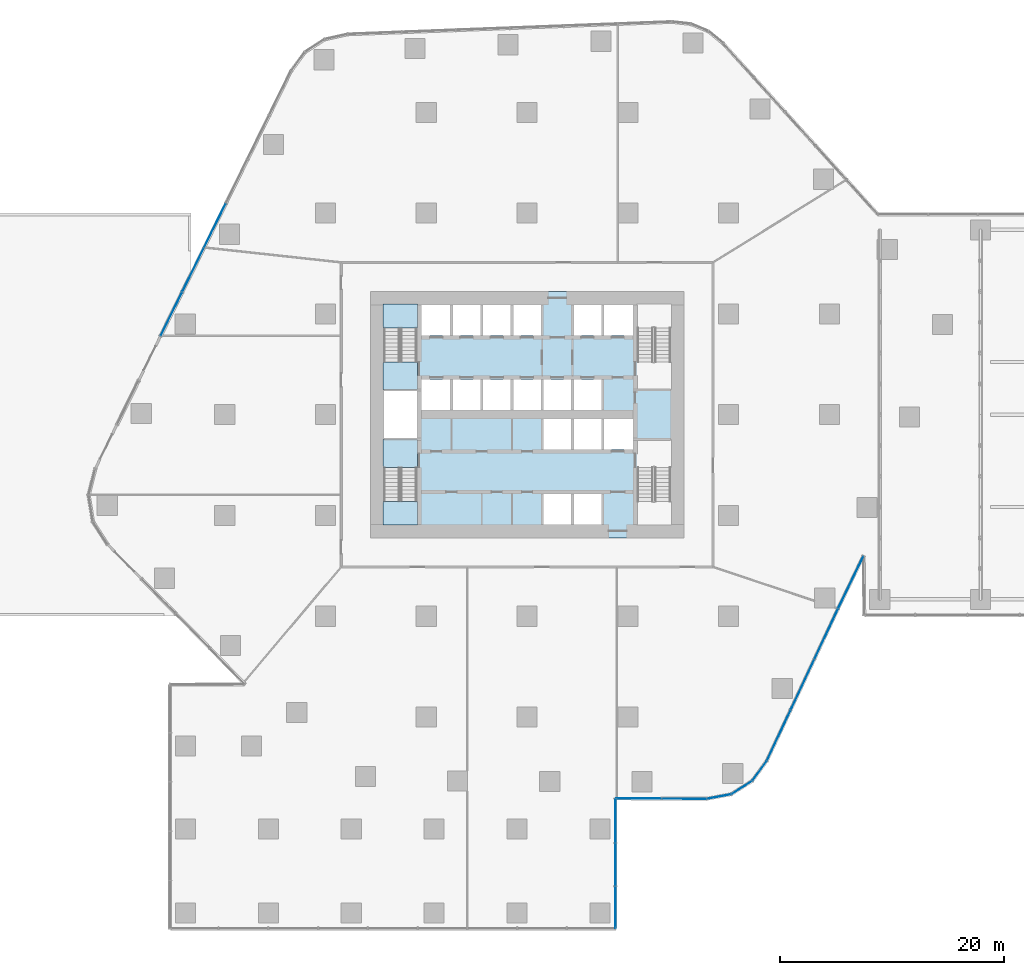
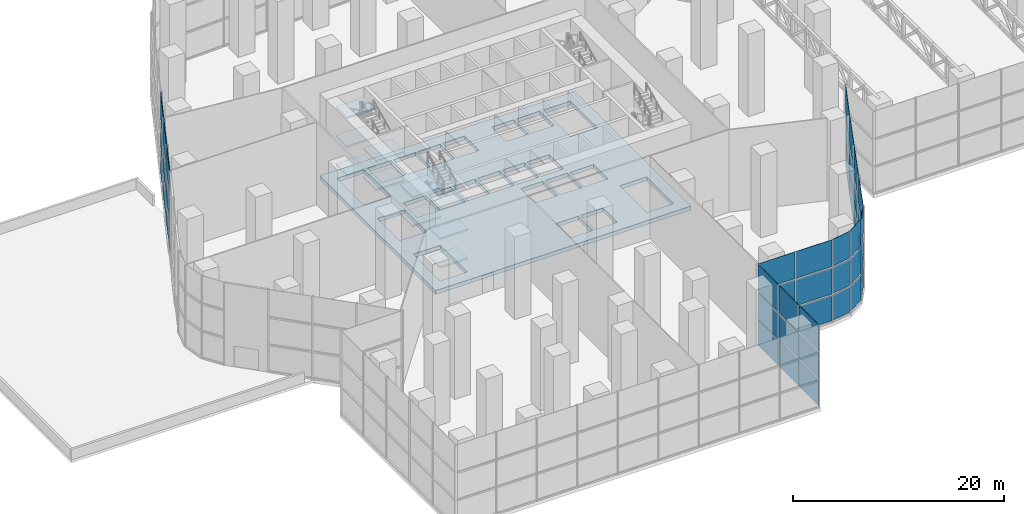
# One storey, part 12 of 21: 45 plates, 11 slabs, 7 elements without a shape of their own.
"""IFC4 building model written with IfcOpenShell, lengths in metres."""

from ifc_helpers import new_model, si_unit, direction, frame, origin, origin_2d, place, context, subcontext, project, spatial, polyline, rectangle, outline, extrude, material, layer, layer_set, type_object, element, aggregate, save


model = new_model("IFC4")

# Units and contexts
model_context = context("Model", 3, precision=1e-05, world=origin(), true_north=direction((0.0, 1.0)))
body_context = subcontext(model_context, "Body", "Model", "MODEL_VIEW")
ifc_project = project(units=[si_unit("LENGTHUNIT", "METRE"), si_unit("AREAUNIT", "SQUARE_METRE"), si_unit("VOLUMEUNIT", "CUBIC_METRE"), si_unit("PLANEANGLEUNIT", "RADIAN"), si_unit("MASSUNIT", "GRAM", prefix="KILO")], contexts=[model_context])

# Site, building, storey
site_placement = place(None, origin())
site = spatial("IfcSite", under=ifc_project, at=site_placement, CompositionType="ELEMENT")
building_placement = place(site_placement, origin())
building = spatial("IfcBuilding", under=site, at=building_placement, Name="Dongbaek Canopy Tower", CompositionType="ELEMENT")
storey_placement = place(building_placement, frame((0.0, 0.0, 9.0)))
storey = spatial("IfcBuildingStorey", under=building, at=storey_placement, Name="L01", CompositionType="ELEMENT", Elevation=9.0)

# Curtain wall, plates
ifc_material_1 = material(Name="Aluminium 6063-T6 pale anodised", Category="aluminium")
ifc_layer_1 = layer(ifc_material_1, 0.300048828125)
ifc_layer_set_1 = layer_set([ifc_layer_1], Name="CW-2 podium hall curtain wall")
curtain_wall_type = type_object("IfcCurtainWallType", Name="CW-2 podium hall curtain wall", PredefinedType="NOTDEFINED", material=ifc_layer_set_1)
curtain_wall_1_placement = place(storey_placement, origin())
curtain_wall_1 = element("IfcCurtainWall", 1, at=curtain_wall_1_placement, inside=storey, type_object=curtain_wall_type, Name="CW-2 curtain wall K0.1", PredefinedType="NOTDEFINED")
ifc_material_2 = material(Name="Clear laminated glass", Category="glass")
ifc_layer_2 = layer(ifc_material_2, 0.035888671875)
ifc_layer_set_2 = layer_set([ifc_layer_2], Name="CW-2 glazed panel 36")
plate_type_1 = type_object("IfcPlateType", Name="CW-2 glazed panel 36", PredefinedType="CURTAIN_PANEL", material=ifc_layer_set_2)
plate_1_placement = place(storey_placement, frame((17.1337890625, -34.110595703125, 0.159912109375), z_axis=(0.0, 0.0, 1.0), x_axis=(0.98292174659, 0.184024020391, 0.0)))
plate_1 = element("IfcPlate", 2, at=plate_1_placement, type_object=plate_type_1, Name="CW-2 panel K0.1.1.1", PredefinedType="CURTAIN_PANEL", context=body_context, shape_type="SweptSolid", body=[
    extrude(rectangle(XDim=2.128173828125, YDim=0.035888671875, at=origin_2d()), origin(), (0.0, 0.0, 1.0), 2.943359375),
])
plate_2_placement = place(storey_placement, frame((17.1337890625, -34.110595703125, 3.26318359375), z_axis=(0.0, 0.0, 1.0), x_axis=(0.98292174659, 0.184024020391, 0.0)))
plate_2 = element("IfcPlate", 3, at=plate_2_placement, type_object=plate_type_1, Name="CW-2 panel K0.1.1.2", PredefinedType="CURTAIN_PANEL", context=body_context, shape_type="SweptSolid", body=[
    extrude(rectangle(XDim=2.128173828125, YDim=0.035888671875, at=origin_2d()), origin(), (0.0, 0.0, 1.0), 3.0234375),
])
plate_3_placement = place(storey_placement, frame((17.1337890625, -34.110595703125, 6.44677734375), z_axis=(0.0, 0.0, 1.0), x_axis=(0.98292174659, 0.184024020391, 0.0)))
plate_3 = element("IfcPlate", 4, at=plate_3_placement, type_object=plate_type_1, Name="CW-2 panel K0.1.1.3", PredefinedType="CURTAIN_PANEL", context=body_context, shape_type="SweptSolid", body=[
    extrude(rectangle(XDim=2.128173828125, YDim=0.035888671875, at=origin_2d()), origin(), (0.0, 0.0, 1.0), 3.103271484375),
])
plate_4_placement = place(storey_placement, frame((19.169921875, -33.31103515625, 0.159912109375), z_axis=(0.0, 0.0, 1.0), x_axis=(0.845033442045, 0.534713457681, 0.0)))
plate_4 = element("IfcPlate", 5, at=plate_4_placement, type_object=plate_type_1, Name="CW-2 panel K0.1.2.1", PredefinedType="CURTAIN_PANEL", context=body_context, shape_type="SweptSolid", body=[
    extrude(rectangle(XDim=2.11865234375, YDim=0.035888671875, at=origin_2d()), origin(), (0.0, 0.0, 1.0), 2.943359375),
])
plate_5_placement = place(storey_placement, frame((19.169921875, -33.31103515625, 3.26318359375), z_axis=(0.0, 0.0, 1.0), x_axis=(0.845033442045, 0.534713457681, 0.0)))
plate_5 = element("IfcPlate", 6, at=plate_5_placement, type_object=plate_type_1, Name="CW-2 panel K0.1.2.2", PredefinedType="CURTAIN_PANEL", context=body_context, shape_type="SweptSolid", body=[
    extrude(rectangle(XDim=2.11865234375, YDim=0.035888671875, at=origin_2d()), origin(), (0.0, 0.0, 1.0), 3.0234375),
])
plate_6_placement = place(storey_placement, frame((19.169921875, -33.31103515625, 6.44677734375), z_axis=(0.0, 0.0, 1.0), x_axis=(0.845033442045, 0.534713457681, 0.0)))
plate_6 = element("IfcPlate", 7, at=plate_6_placement, type_object=plate_type_1, Name="CW-2 panel K0.1.2.3", PredefinedType="CURTAIN_PANEL", context=body_context, shape_type="SweptSolid", body=[
    extrude(rectangle(XDim=2.11865234375, YDim=0.035888671875, at=origin_2d()), origin(), (0.0, 0.0, 1.0), 3.103271484375),
])
plate_7_placement = place(storey_placement, frame((20.764404296875, -31.813232421875, 0.159912109375), z_axis=(0.0, 0.0, 1.0), x_axis=(0.587153663418, 0.809475494092, 0.0)))
plate_7 = element("IfcPlate", 8, at=plate_7_placement, type_object=plate_type_1, Name="CW-2 panel K0.1.3.1", PredefinedType="CURTAIN_PANEL", context=body_context, shape_type="SweptSolid", body=[
    extrude(rectangle(XDim=2.128173828125, YDim=0.035888671875, at=origin_2d()), origin(), (0.0, 0.0, 1.0), 2.943359375),
])
plate_8_placement = place(storey_placement, frame((20.764404296875, -31.813232421875, 3.26318359375), z_axis=(0.0, 0.0, 1.0), x_axis=(0.587153663418, 0.809475494092, 0.0)))
plate_8 = element("IfcPlate", 9, at=plate_8_placement, type_object=plate_type_1, Name="CW-2 panel K0.1.3.2", PredefinedType="CURTAIN_PANEL", context=body_context, shape_type="SweptSolid", body=[
    extrude(rectangle(XDim=2.128173828125, YDim=0.035888671875, at=origin_2d()), origin(), (0.0, 0.0, 1.0), 3.0234375),
])
plate_9_placement = place(storey_placement, frame((20.764404296875, -31.813232421875, 6.44677734375), z_axis=(0.0, 0.0, 1.0), x_axis=(0.587153663418, 0.809475494092, 0.0)))
plate_9 = element("IfcPlate", 10, at=plate_9_placement, type_object=plate_type_1, Name="CW-2 panel K0.1.3.3", PredefinedType="CURTAIN_PANEL", context=body_context, shape_type="SweptSolid", body=[
    extrude(rectangle(XDim=2.128173828125, YDim=0.035888671875, at=origin_2d()), origin(), (0.0, 0.0, 1.0), 3.103271484375),
])
aggregate(curtain_wall_1, [plate_1, plate_2, plate_3, plate_4, plate_5, plate_6, plate_7, plate_8, plate_9])

curtain_wall_2_placement = place(storey_placement, origin())
curtain_wall_2 = element("IfcCurtainWall", 11, at=curtain_wall_2_placement, inside=storey, type_object=curtain_wall_type, Name="CW-2 curtain wall F0.1", PredefinedType="NOTDEFINED")
plate_10_placement = place(storey_placement, frame((22.4794921875, -28.64697265625, 0.159912109375), z_axis=(0.0, 0.0, 1.0), x_axis=(0.42412285893, 0.905604660176, 0.0)))
plate_10 = element("IfcPlate", 12, at=plate_10_placement, type_object=plate_type_1, Name="CW-2 panel F0.1.1.1", PredefinedType="CURTAIN_PANEL", context=body_context, shape_type="SweptSolid", body=[
    extrude(rectangle(XDim=4.89306640625, YDim=0.035888671875, at=origin_2d()), origin(), (0.0, 0.0, 1.0), 2.943359375),
])
plate_11_placement = place(storey_placement, frame((22.4794921875, -28.64697265625, 3.26318359375), z_axis=(0.0, 0.0, 1.0), x_axis=(0.42412285893, 0.905604660176, 0.0)))
plate_11 = element("IfcPlate", 13, at=plate_11_placement, type_object=plate_type_1, Name="CW-2 panel F0.1.1.2", PredefinedType="CURTAIN_PANEL", context=body_context, shape_type="SweptSolid", body=[
    extrude(rectangle(XDim=4.89306640625, YDim=0.035888671875, at=origin_2d()), origin(), (0.0, 0.0, 1.0), 3.0234375),
])
plate_12_placement = place(storey_placement, frame((22.4794921875, -28.64697265625, 6.44677734375), z_axis=(0.0, 0.0, 1.0), x_axis=(0.42412285893, 0.905604660176, 0.0)))
plate_12 = element("IfcPlate", 14, at=plate_12_placement, type_object=plate_type_1, Name="CW-2 panel F0.1.1.3", PredefinedType="CURTAIN_PANEL", context=body_context, shape_type="SweptSolid", body=[
    extrude(rectangle(XDim=4.89306640625, YDim=0.035888671875, at=origin_2d()), origin(), (0.0, 0.0, 1.0), 3.103271484375),
])
plate_13_placement = place(storey_placement, frame((24.600830078125, -24.117431640625, 0.159912109375), z_axis=(0.0, 0.0, 1.0), x_axis=(0.42412285893, 0.905604660176, 0.0)))
plate_13 = element("IfcPlate", 15, at=plate_13_placement, type_object=plate_type_1, Name="CW-2 panel F0.1.2.1", PredefinedType="CURTAIN_PANEL", context=body_context, shape_type="SweptSolid", body=[
    extrude(rectangle(XDim=4.902587890625, YDim=0.035888671875, at=origin_2d()), origin(), (0.0, 0.0, 1.0), 2.943359375),
])
plate_14_placement = place(storey_placement, frame((24.600830078125, -24.117431640625, 3.26318359375), z_axis=(0.0, 0.0, 1.0), x_axis=(0.42412285893, 0.905604660176, 0.0)))
plate_14 = element("IfcPlate", 16, at=plate_14_placement, type_object=plate_type_1, Name="CW-2 panel F0.1.2.2", PredefinedType="CURTAIN_PANEL", context=body_context, shape_type="SweptSolid", body=[
    extrude(rectangle(XDim=4.902587890625, YDim=0.035888671875, at=origin_2d()), origin(), (0.0, 0.0, 1.0), 3.0234375),
])
plate_15_placement = place(storey_placement, frame((24.600830078125, -24.117431640625, 6.44677734375), z_axis=(0.0, 0.0, 1.0), x_axis=(0.42412285893, 0.905604660176, 0.0)))
plate_15 = element("IfcPlate", 17, at=plate_15_placement, type_object=plate_type_1, Name="CW-2 panel F0.1.2.3", PredefinedType="CURTAIN_PANEL", context=body_context, shape_type="SweptSolid", body=[
    extrude(rectangle(XDim=4.902587890625, YDim=0.035888671875, at=origin_2d()), origin(), (0.0, 0.0, 1.0), 3.103271484375),
])
plate_16_placement = place(storey_placement, frame((26.724365234375, -19.583251953125, 0.159912109375), z_axis=(0.0, 0.0, 1.0), x_axis=(0.42412285893, 0.905604660176, 0.0)))
plate_16 = element("IfcPlate", 18, at=plate_16_placement, type_object=plate_type_1, Name="CW-2 panel F0.1.3.1", PredefinedType="CURTAIN_PANEL", context=body_context, shape_type="SweptSolid", body=[
    extrude(rectangle(XDim=4.902587890625, YDim=0.035888671875, at=origin_2d()), origin(), (0.0, 0.0, 1.0), 2.943359375),
])
plate_17_placement = place(storey_placement, frame((26.724365234375, -19.583251953125, 3.26318359375), z_axis=(0.0, 0.0, 1.0), x_axis=(0.42412285893, 0.905604660176, 0.0)))
plate_17 = element("IfcPlate", 19, at=plate_17_placement, type_object=plate_type_1, Name="CW-2 panel F0.1.3.2", PredefinedType="CURTAIN_PANEL", context=body_context, shape_type="SweptSolid", body=[
    extrude(rectangle(XDim=4.902587890625, YDim=0.035888671875, at=origin_2d()), origin(), (0.0, 0.0, 1.0), 3.0234375),
])
plate_18_placement = place(storey_placement, frame((26.724365234375, -19.583251953125, 6.44677734375), z_axis=(0.0, 0.0, 1.0), x_axis=(0.42412285893, 0.905604660176, 0.0)))
plate_18 = element("IfcPlate", 20, at=plate_18_placement, type_object=plate_type_1, Name="CW-2 panel F0.1.3.3", PredefinedType="CURTAIN_PANEL", context=body_context, shape_type="SweptSolid", body=[
    extrude(rectangle(XDim=4.902587890625, YDim=0.035888671875, at=origin_2d()), origin(), (0.0, 0.0, 1.0), 3.103271484375),
])
plate_19_placement = place(storey_placement, frame((28.914794921875, -14.97265625, 0.159912109375), z_axis=(0.0, 0.0, 1.0), x_axis=(0.433942044682, 0.900940787098, 0.0)))
plate_19 = element("IfcPlate", 21, at=plate_19_placement, type_object=plate_type_1, Name="CW-2 panel F0.1.4.1", PredefinedType="CURTAIN_PANEL", context=body_context, shape_type="SweptSolid", body=[
    extrude(rectangle(XDim=5.09814453125, YDim=0.035888671875, at=origin_2d()), origin(), (0.0, 0.0, 1.0), 2.943359375),
])
plate_20_placement = place(storey_placement, frame((28.914794921875, -14.97265625, 3.26318359375), z_axis=(0.0, 0.0, 1.0), x_axis=(0.433942044682, 0.900940787098, 0.0)))
plate_20 = element("IfcPlate", 22, at=plate_20_placement, type_object=plate_type_1, Name="CW-2 panel F0.1.4.2", PredefinedType="CURTAIN_PANEL", context=body_context, shape_type="SweptSolid", body=[
    extrude(rectangle(XDim=5.09814453125, YDim=0.035888671875, at=origin_2d()), origin(), (0.0, 0.0, 1.0), 3.0234375),
])

curtain_wall_3_placement = place(storey_placement, origin())
curtain_wall_3 = element("IfcCurtainWall", 23, at=curtain_wall_3_placement, inside=storey, type_object=curtain_wall_type, Name="CW-2 curtain wall F7.1", PredefinedType="NOTDEFINED")
plate_21_placement = place(storey_placement, frame((-27.88525390625, 16.8759765625, 0.159912109375), z_axis=(0.0, 0.0, 1.0), x_axis=(-0.441341613378, -0.897339166815, 0.0)))
plate_21 = element("IfcPlate", 24, at=plate_21_placement, type_object=plate_type_1, Name="CW-2 panel F7.1.4.1", PredefinedType="CURTAIN_PANEL", context=body_context, shape_type="SweptSolid", body=[
    extrude(rectangle(XDim=4.29541015625, YDim=0.035888671875, at=origin_2d()), origin(), (0.0, 0.0, 1.0), 2.943359375),
])
plate_22_placement = place(storey_placement, frame((-27.88525390625, 16.8759765625, 3.26318359375), z_axis=(0.0, 0.0, 1.0), x_axis=(-0.441341613378, -0.897339166815, 0.0)))
plate_22 = element("IfcPlate", 25, at=plate_22_placement, type_object=plate_type_1, Name="CW-2 panel F7.1.4.2", PredefinedType="CURTAIN_PANEL", context=body_context, shape_type="SweptSolid", body=[
    extrude(rectangle(XDim=4.29541015625, YDim=0.035888671875, at=origin_2d()), origin(), (0.0, 0.0, 1.0), 3.0234375),
])
plate_23_placement = place(storey_placement, frame((-27.88525390625, 16.8759765625, 6.44677734375), z_axis=(0.0, 0.0, 1.0), x_axis=(-0.441341613378, -0.897339166815, 0.0)))
plate_23 = element("IfcPlate", 26, at=plate_23_placement, type_object=plate_type_1, Name="CW-2 panel F7.1.4.3", PredefinedType="CURTAIN_PANEL", context=body_context, shape_type="SweptSolid", body=[
    extrude(rectangle(XDim=4.29541015625, YDim=0.035888671875, at=origin_2d()), origin(), (0.0, 0.0, 1.0), 3.103271484375),
])
plate_24_placement = place(storey_placement, frame((-29.826904296875, 12.92822265625, 0.159912109375), z_axis=(0.0, 0.0, 1.0), x_axis=(-0.441341613378, -0.897339166815, 0.0)))
plate_24 = element("IfcPlate", 27, at=plate_24_placement, type_object=plate_type_1, Name="CW-2 panel F7.1.5.1", PredefinedType="CURTAIN_PANEL", context=body_context, shape_type="SweptSolid", body=[
    extrude(rectangle(XDim=4.29541015625, YDim=0.035888671875, at=origin_2d()), origin(), (0.0, 0.0, 1.0), 2.943359375),
])
plate_25_placement = place(storey_placement, frame((-29.826904296875, 12.92822265625, 3.26318359375), z_axis=(0.0, 0.0, 1.0), x_axis=(-0.441341613378, -0.897339166815, 0.0)))
plate_25 = element("IfcPlate", 28, at=plate_25_placement, type_object=plate_type_1, Name="CW-2 panel F7.1.5.2", PredefinedType="CURTAIN_PANEL", context=body_context, shape_type="SweptSolid", body=[
    extrude(rectangle(XDim=4.29541015625, YDim=0.035888671875, at=origin_2d()), origin(), (0.0, 0.0, 1.0), 3.0234375),
])
plate_26_placement = place(storey_placement, frame((-29.826904296875, 12.92822265625, 6.44677734375), z_axis=(0.0, 0.0, 1.0), x_axis=(-0.441341613378, -0.897339166815, 0.0)))
plate_26 = element("IfcPlate", 29, at=plate_26_placement, type_object=plate_type_1, Name="CW-2 panel F7.1.5.3", PredefinedType="CURTAIN_PANEL", context=body_context, shape_type="SweptSolid", body=[
    extrude(rectangle(XDim=4.29541015625, YDim=0.035888671875, at=origin_2d()), origin(), (0.0, 0.0, 1.0), 3.103271484375),
])
plate_27_placement = place(storey_placement, frame((-31.7685546875, 8.98046875, 0.159912109375), z_axis=(0.0, 0.0, 1.0), x_axis=(-0.441341613378, -0.897339166815, 0.0)))
plate_27 = element("IfcPlate", 30, at=plate_27_placement, type_object=plate_type_1, Name="CW-2 panel F7.1.6.1", PredefinedType="CURTAIN_PANEL", context=body_context, shape_type="SweptSolid", body=[
    extrude(rectangle(XDim=4.29541015625, YDim=0.035888671875, at=origin_2d()), origin(), (0.0, 0.0, 1.0), 2.943359375),
])
plate_28_placement = place(storey_placement, frame((-31.7685546875, 8.98046875, 3.26318359375), z_axis=(0.0, 0.0, 1.0), x_axis=(-0.441341613378, -0.897339166815, 0.0)))
plate_28 = element("IfcPlate", 31, at=plate_28_placement, type_object=plate_type_1, Name="CW-2 panel F7.1.6.2", PredefinedType="CURTAIN_PANEL", context=body_context, shape_type="SweptSolid", body=[
    extrude(rectangle(XDim=4.29541015625, YDim=0.035888671875, at=origin_2d()), origin(), (0.0, 0.0, 1.0), 3.0234375),
])
plate_29_placement = place(storey_placement, frame((-31.7685546875, 8.98046875, 6.44677734375), z_axis=(0.0, 0.0, 1.0), x_axis=(-0.441341613378, -0.897339166815, 0.0)))
plate_29 = element("IfcPlate", 32, at=plate_29_placement, type_object=plate_type_1, Name="CW-2 panel F7.1.6.3", PredefinedType="CURTAIN_PANEL", context=body_context, shape_type="SweptSolid", body=[
    extrude(rectangle(XDim=4.29541015625, YDim=0.035888671875, at=origin_2d()), origin(), (0.0, 0.0, 1.0), 3.103271484375),
])
aggregate(curtain_wall_3, [plate_21, plate_22, plate_23, plate_24, plate_25, plate_26, plate_27, plate_28, plate_29])

curtain_wall_4_placement = place(storey_placement, origin())
curtain_wall_4 = element("IfcCurtainWall", 33, at=curtain_wall_4_placement, inside=storey, type_object=curtain_wall_type, Name="CW-2 curtain wall F12.1", PredefinedType="NOTDEFINED")
plate_30_placement = place(storey_placement, frame((7.89990234375, -44.013427734375, 0.159912109375), z_axis=(0.0, 0.0, 1.0), x_axis=(0.0, 1.0, 0.0)))
plate_30 = element("IfcPlate", 34, at=plate_30_placement, type_object=plate_type_1, Name="CW-2 panel F12.1.1.1", PredefinedType="CURTAIN_PANEL", context=body_context, shape_type="SweptSolid", body=[
    extrude(rectangle(XDim=3.669189453125, YDim=0.035888671875, at=origin_2d()), origin(), (0.0, 0.0, 1.0), 2.943359375),
])
plate_31_placement = place(storey_placement, frame((7.89990234375, -44.013427734375, 3.26318359375), z_axis=(0.0, 0.0, 1.0), x_axis=(0.0, 1.0, 0.0)))
plate_31 = element("IfcPlate", 35, at=plate_31_placement, type_object=plate_type_1, Name="CW-2 panel F12.1.1.2", PredefinedType="CURTAIN_PANEL", context=body_context, shape_type="SweptSolid", body=[
    extrude(rectangle(XDim=3.669189453125, YDim=0.035888671875, at=origin_2d()), origin(), (0.0, 0.0, 1.0), 3.0234375),
])
plate_32_placement = place(storey_placement, frame((7.89990234375, -44.013427734375, 6.44677734375), z_axis=(0.0, 0.0, 1.0), x_axis=(0.0, 1.0, 0.0)))
plate_32 = element("IfcPlate", 36, at=plate_32_placement, type_object=plate_type_1, Name="CW-2 panel F12.1.1.3", PredefinedType="CURTAIN_PANEL", context=body_context, shape_type="SweptSolid", body=[
    extrude(rectangle(XDim=3.669189453125, YDim=0.035888671875, at=origin_2d()), origin(), (0.0, 0.0, 1.0), 3.103271484375),
])
plate_33_placement = place(storey_placement, frame((7.89990234375, -40.18994140625, 0.159912109375), z_axis=(0.0, 0.0, 1.0), x_axis=(0.0, 1.0, 0.0)))
plate_33 = element("IfcPlate", 37, at=plate_33_placement, type_object=plate_type_1, Name="CW-2 panel F12.1.2.1", PredefinedType="CURTAIN_PANEL", context=body_context, shape_type="SweptSolid", body=[
    extrude(rectangle(XDim=3.769287109375, YDim=0.035888671875, at=origin_2d()), origin(), (0.0, 0.0, 1.0), 2.943359375),
])
plate_34_placement = place(storey_placement, frame((7.89990234375, -40.18994140625, 3.26318359375), z_axis=(0.0, 0.0, 1.0), x_axis=(0.0, 1.0, 0.0)))
plate_34 = element("IfcPlate", 38, at=plate_34_placement, type_object=plate_type_1, Name="CW-2 panel F12.1.2.2", PredefinedType="CURTAIN_PANEL", context=body_context, shape_type="SweptSolid", body=[
    extrude(rectangle(XDim=3.769287109375, YDim=0.035888671875, at=origin_2d()), origin(), (0.0, 0.0, 1.0), 3.0234375),
])
plate_35_placement = place(storey_placement, frame((7.89990234375, -40.18994140625, 6.44677734375), z_axis=(0.0, 0.0, 1.0), x_axis=(0.0, 1.0, 0.0)))
plate_35 = element("IfcPlate", 39, at=plate_35_placement, type_object=plate_type_1, Name="CW-2 panel F12.1.2.3", PredefinedType="CURTAIN_PANEL", context=body_context, shape_type="SweptSolid", body=[
    extrude(rectangle(XDim=3.769287109375, YDim=0.035888671875, at=origin_2d()), origin(), (0.0, 0.0, 1.0), 3.103271484375),
])
plate_36_placement = place(storey_placement, frame((7.89990234375, -36.2666015625, 0.159912109375), z_axis=(0.0, 0.0, 1.0), x_axis=(0.0, 1.0, 0.0)))
plate_36 = element("IfcPlate", 40, at=plate_36_placement, type_object=plate_type_1, Name="CW-2 panel F12.1.3.1", PredefinedType="CURTAIN_PANEL", context=body_context, shape_type="SweptSolid", body=[
    extrude(rectangle(XDim=3.86962890625, YDim=0.035888671875, at=origin_2d()), origin(), (0.0, 0.0, 1.0), 2.943359375),
])
plate_37_placement = place(storey_placement, frame((7.89990234375, -36.2666015625, 3.26318359375), z_axis=(0.0, 0.0, 1.0), x_axis=(0.0, 1.0, 0.0)))
plate_37 = element("IfcPlate", 41, at=plate_37_placement, type_object=plate_type_1, Name="CW-2 panel F12.1.3.2", PredefinedType="CURTAIN_PANEL", context=body_context, shape_type="SweptSolid", body=[
    extrude(rectangle(XDim=3.86962890625, YDim=0.035888671875, at=origin_2d()), origin(), (0.0, 0.0, 1.0), 3.0234375),
])
plate_38_placement = place(storey_placement, frame((7.89990234375, -36.2666015625, 6.44677734375), z_axis=(0.0, 0.0, 1.0), x_axis=(0.0, 1.0, 0.0)))
plate_38 = element("IfcPlate", 42, at=plate_38_placement, type_object=plate_type_1, Name="CW-2 panel F12.1.3.3", PredefinedType="CURTAIN_PANEL", context=body_context, shape_type="SweptSolid", body=[
    extrude(rectangle(XDim=3.86962890625, YDim=0.035888671875, at=origin_2d()), origin(), (0.0, 0.0, 1.0), 3.103271484375),
])
aggregate(curtain_wall_4, [plate_30, plate_31, plate_32, plate_33, plate_34, plate_35, plate_36, plate_37, plate_38])

curtain_wall_5_placement = place(storey_placement, origin())
curtain_wall_5 = element("IfcCurtainWall", 43, at=curtain_wall_5_placement, inside=storey, type_object=curtain_wall_type, Name="CW-2 curtain wall F13.1", PredefinedType="NOTDEFINED")
plate_39_placement = place(storey_placement, frame((9.961669921875, -34.288818359375, 0.159912109375), z_axis=(0.0, 0.0, 1.0), x_axis=(0.999990026698, -0.004466151006, 0.0)))
plate_39 = element("IfcPlate", 44, at=plate_39_placement, type_object=plate_type_1, Name="CW-2 panel F13.1.1.1", PredefinedType="CURTAIN_PANEL", context=body_context, shape_type="SweptSolid", body=[
    extrude(rectangle(XDim=4.019287109375, YDim=0.035888671875, at=origin_2d()), origin(), (0.0, 0.0, 1.0), 2.943359375),
])
plate_40_placement = place(storey_placement, frame((9.961669921875, -34.288818359375, 3.26318359375), z_axis=(0.0, 0.0, 1.0), x_axis=(0.999990026698, -0.004466151006, 0.0)))
plate_40 = element("IfcPlate", 45, at=plate_40_placement, type_object=plate_type_1, Name="CW-2 panel F13.1.1.2", PredefinedType="CURTAIN_PANEL", context=body_context, shape_type="SweptSolid", body=[
    extrude(rectangle(XDim=4.019287109375, YDim=0.035888671875, at=origin_2d()), origin(), (0.0, 0.0, 1.0), 3.0234375),
])
plate_41_placement = place(storey_placement, frame((9.961669921875, -34.288818359375, 6.44677734375), z_axis=(0.0, 0.0, 1.0), x_axis=(0.999990026698, -0.004466151006, 0.0)))
plate_41 = element("IfcPlate", 46, at=plate_41_placement, type_object=plate_type_1, Name="CW-2 panel F13.1.1.3", PredefinedType="CURTAIN_PANEL", context=body_context, shape_type="SweptSolid", body=[
    extrude(rectangle(XDim=4.019287109375, YDim=0.035888671875, at=origin_2d()), origin(), (0.0, 0.0, 1.0), 3.103271484375),
])
plate_42_placement = place(storey_placement, frame((14.030029296875, -34.30712890625, 0.159912109375), z_axis=(0.0, 0.0, 1.0), x_axis=(0.999990026698, -0.004466151006, 0.0)))
plate_42 = element("IfcPlate", 47, at=plate_42_placement, type_object=plate_type_1, Name="CW-2 panel F13.1.2.1", PredefinedType="CURTAIN_PANEL", context=body_context, shape_type="SweptSolid", body=[
    extrude(rectangle(XDim=3.909423828125, YDim=0.035888671875, at=origin_2d()), origin(), (0.0, 0.0, 1.0), 2.943359375),
])
plate_43_placement = place(storey_placement, frame((14.030029296875, -34.30712890625, 3.26318359375), z_axis=(0.0, 0.0, 1.0), x_axis=(0.999990026698, -0.004466151006, 0.0)))
plate_43 = element("IfcPlate", 48, at=plate_43_placement, type_object=plate_type_1, Name="CW-2 panel F13.1.2.2", PredefinedType="CURTAIN_PANEL", context=body_context, shape_type="SweptSolid", body=[
    extrude(rectangle(XDim=3.909423828125, YDim=0.035888671875, at=origin_2d()), origin(), (0.0, 0.0, 1.0), 3.0234375),
])
plate_44_placement = place(storey_placement, frame((14.030029296875, -34.30712890625, 6.44677734375), z_axis=(0.0, 0.0, 1.0), x_axis=(0.999990026698, -0.004466151006, 0.0)))
plate_44 = element("IfcPlate", 49, at=plate_44_placement, type_object=plate_type_1, Name="CW-2 panel F13.1.2.3", PredefinedType="CURTAIN_PANEL", context=body_context, shape_type="SweptSolid", body=[
    extrude(rectangle(XDim=3.909423828125, YDim=0.035888671875, at=origin_2d()), origin(), (0.0, 0.0, 1.0), 3.103271484375),
])
aggregate(curtain_wall_5, [plate_39, plate_40, plate_41, plate_42, plate_43, plate_44])

# Plate
ifc_material_3 = material(Name="Insulated aluminium spandrel panel", Category="aluminium")
ifc_layer_3 = layer(ifc_material_3, 0.035888671875)
ifc_layer_set_3 = layer_set([ifc_layer_3], Name="CW-2 spandrel panel 36")
plate_type_2 = type_object("IfcPlateType", Name="CW-2 spandrel panel 36", PredefinedType="CURTAIN_PANEL", material=ifc_layer_set_3)
plate_45_placement = place(storey_placement, frame((28.914794921875, -14.97265625, 6.44677734375), z_axis=(0.0, 0.0, 1.0), x_axis=(0.433942044682, 0.900940787098, 0.0)))
plate_45 = element("IfcPlate", 50, at=plate_45_placement, type_object=plate_type_2, Name="CW-2 panel F0.1.4.3", PredefinedType="CURTAIN_PANEL", context=body_context, shape_type="SweptSolid", body=[
    extrude(rectangle(XDim=5.09814453125, YDim=0.035888671875, at=origin_2d()), origin(), (0.0, 0.0, 1.0), 3.103271484375),
])

aggregate(curtain_wall_2, [plate_10, plate_11, plate_12, plate_13, plate_14, plate_15, plate_16, plate_17, plate_18, plate_19, plate_20, plate_45])

# Slab
ifc_material_4 = material(Name="Concrete C40/50", Category="concrete")
ifc_layer_4 = layer(ifc_material_4, 0.449951171875)
ifc_layer_set_4 = layer_set([ifc_layer_4], Name="Core floor slab 450 Concrete C40/50")
slab_type_1 = type_object("IfcSlabType", Name="Core floor slab 450 Concrete C40/50", PredefinedType="FLOOR", material=ifc_layer_set_4)
slab_1_placement = place(storey_placement, frame((0.0, 0.0, -0.449951171875)))
element("IfcSlab", 51, at=slab_1_placement, inside=storey, type_object=slab_type_1, Name="Core floor slab L01", PredefinedType="FLOOR", context=body_context, shape_type="SweptSolid", body=[
    extrude(outline(polyline([(14.0, -11.0), (14.0, 11.0), (-14.0, 11.0), (-14.0, -11.0), (14.0, -11.0)]), holes=[polyline([(-12.800048828125, 2.10009765625), (-9.85009765625, 2.10009765625), (-9.85009765625, -2.10009765625), (-12.800048828125, -2.10009765625), (-12.800048828125, 2.10009765625)]), polyline([(-6.875, 9.800048828125), (-6.875, 7.074951171875), (-9.449951171875, 7.074951171875), (-9.449951171875, 9.800048828125), (-6.875, 9.800048828125)]), polyline([(-4.175048828125, 9.800048828125), (-4.175048828125, 7.074951171875), (-6.625, 7.074951171875), (-6.625, 9.800048828125), (-4.175048828125, 9.800048828125)]), polyline([(-1.47509765625, 9.800048828125), (-1.47509765625, 7.074951171875), (-3.925048828125, 7.074951171875), (-3.925048828125, 9.800048828125), (-1.47509765625, 9.800048828125)]), polyline([(1.22509765625, 9.800048828125), (1.22509765625, 7.074951171875), (-1.22509765625, 7.074951171875), (-1.22509765625, 9.800048828125), (1.22509765625, 9.800048828125)]), polyline([(6.625, 9.800048828125), (6.625, 7.074951171875), (4.175048828125, 7.074951171875), (4.175048828125, 9.800048828125), (6.625, 9.800048828125)]), polyline([(9.449951171875, 7.074951171875), (6.875, 7.074951171875), (6.875, 9.800048828125), (9.449951171875, 9.800048828125), (9.449951171875, 7.074951171875)]), polyline([(-9.449951171875, 3.125), (-6.875, 3.125), (-6.875, 0.39990234375), (-9.449951171875, 0.39990234375), (-9.449951171875, 3.125)]), polyline([(-6.625, 3.125), (-4.175048828125, 3.125), (-4.175048828125, 0.39990234375), (-6.625, 0.39990234375), (-6.625, 3.125)]), polyline([(-3.925048828125, 3.125), (-1.47509765625, 3.125), (-1.47509765625, 0.39990234375), (-3.925048828125, 0.39990234375), (-3.925048828125, 3.125)]), polyline([(-1.22509765625, 3.125), (1.22509765625, 3.125), (1.22509765625, 0.39990234375), (-1.22509765625, 0.39990234375), (-1.22509765625, 3.125)]), polyline([(3.925048828125, 3.125), (3.925048828125, 0.39990234375), (1.47509765625, 0.39990234375), (1.47509765625, 3.125), (3.925048828125, 3.125)]), polyline([(4.175048828125, 3.125), (6.625, 3.125), (6.625, 0.39990234375), (4.175048828125, 0.39990234375), (4.175048828125, 3.125)]), polyline([(1.47509765625, -0.39990234375), (3.925048828125, -0.39990234375), (3.925048828125, -3.125), (1.47509765625, -3.125), (1.47509765625, -0.39990234375)]), polyline([(4.175048828125, -3.125), (4.175048828125, -0.39990234375), (6.625, -0.39990234375), (6.625, -3.125), (4.175048828125, -3.125)]), polyline([(9.449951171875, -3.125), (6.875, -3.125), (6.875, -0.39990234375), (9.449951171875, -0.39990234375), (9.449951171875, -3.125)]), polyline([(1.47509765625, -9.800048828125), (1.47509765625, -7.074951171875), (3.925048828125, -7.074951171875), (3.925048828125, -9.800048828125), (1.47509765625, -9.800048828125)]), polyline([(4.175048828125, -9.800048828125), (4.175048828125, -7.074951171875), (6.625, -7.074951171875), (6.625, -9.800048828125), (4.175048828125, -9.800048828125)]), polyline([(12.800048828125, 4.70068359375), (12.800048828125, 9.800048828125), (9.85009765625, 9.800048828125), (9.85009765625, 4.70068359375), (12.800048828125, 4.70068359375)]), polyline([(-9.85009765625, 4.70068359375), (-9.85009765625, 9.800048828125), (-12.800048828125, 9.800048828125), (-12.800048828125, 4.70068359375), (-9.85009765625, 4.70068359375)]), polyline([(9.85009765625, -4.70068359375), (9.85009765625, -9.800048828125), (12.800048828125, -9.800048828125), (12.800048828125, -4.70068359375), (9.85009765625, -4.70068359375)]), polyline([(-12.800048828125, -4.70068359375), (-12.800048828125, -9.800048828125), (-9.85009765625, -9.800048828125), (-9.85009765625, -4.70068359375), (-12.800048828125, -4.70068359375)])]), origin(), (0.0, 0.0, 1.0), 0.449951171875),
])

# Stair, slabs
ifc_material_5 = material(Name="Concrete C40/50", Category="concrete")
stair_type = type_object("IfcStairType", Name="Core exit stair", PredefinedType="HALF_TURN_STAIR", material=ifc_material_5)
stair_1_placement = place(storey_placement, origin())
stair_1 = element("IfcStair", 52, at=stair_1_placement, inside=storey, type_object=stair_type, Name="L01 exit stair C", PredefinedType="HALF_TURN_STAIR")
ifc_material_6 = material(Name="Concrete C40/50", Category="concrete")
ifc_layer_5 = layer(ifc_material_6, 0.199951171875)
ifc_layer_set_5 = layer_set([ifc_layer_5], Name="Core stair landing 200")
slab_type_2 = type_object("IfcSlabType", Name="Core stair landing 200", PredefinedType="LANDING", material=ifc_layer_set_5)
slab_2_placement = place(storey_placement, frame((0.0, 0.0, 1.466552734375)))
slab_2 = element("IfcSlab", 53, at=slab_2_placement, type_object=slab_type_2, Name="ST-C landing 1", PredefinedType="LANDING", context=body_context, shape_type="SweptSolid", body=[
    extrude(outline(polyline([(-9.77490234375, 7.760009765625), (-9.77490234375, 9.875), (-12.875, 9.875), (-12.875, 7.760009765625), (-9.77490234375, 7.760009765625)])), origin(), (0.0, 0.0, 1.0), 0.2001953125),
])
slab_3_placement = place(storey_placement, frame((0.0, 0.0, 3.13330078125)))
slab_3 = element("IfcSlab", 54, at=slab_3_placement, type_object=slab_type_2, Name="ST-C landing 2", PredefinedType="LANDING", context=body_context, shape_type="SweptSolid", body=[
    extrude(outline(polyline([(-9.77490234375, 2.22509765625), (-9.77490234375, 4.699951171875), (-12.875, 4.699951171875), (-12.875, 2.22509765625), (-9.77490234375, 2.22509765625)])), origin(), (0.0, 0.0, 1.0), 0.199951171875),
])
slab_4_placement = place(storey_placement, frame((0.0, 0.0, 4.800048828125)))
slab_4 = element("IfcSlab", 55, at=slab_4_placement, type_object=slab_type_2, Name="ST-C landing 3", PredefinedType="LANDING", context=body_context, shape_type="SweptSolid", body=[
    extrude(outline(polyline([(-9.77490234375, 7.760009765625), (-9.77490234375, 9.875), (-12.875, 9.875), (-12.875, 7.760009765625), (-9.77490234375, 7.760009765625)])), origin(), (0.0, 0.0, 1.0), 0.199951171875),
])
slab_5_placement = place(storey_placement, frame((0.0, 0.0, 6.466552734375)))
slab_5 = element("IfcSlab", 56, at=slab_5_placement, type_object=slab_type_2, Name="ST-C landing 4", PredefinedType="LANDING", context=body_context, shape_type="SweptSolid", body=[
    extrude(outline(polyline([(-9.77490234375, 2.22509765625), (-9.77490234375, 4.699951171875), (-12.875, 4.699951171875), (-12.875, 2.22509765625), (-9.77490234375, 2.22509765625)])), origin(), (0.0, 0.0, 1.0), 0.2001953125),
])
slab_6_placement = place(storey_placement, frame((0.0, 0.0, 8.13330078125)))
slab_6 = element("IfcSlab", 57, at=slab_6_placement, type_object=slab_type_2, Name="ST-C landing 5", PredefinedType="LANDING", context=body_context, shape_type="SweptSolid", body=[
    extrude(outline(polyline([(-9.77490234375, 7.760009765625), (-9.77490234375, 9.875), (-12.875, 9.875), (-12.875, 7.760009765625), (-9.77490234375, 7.760009765625)])), origin(), (0.0, 0.0, 1.0), 0.199951171875),
])
aggregate(stair_1, [slab_2, slab_3, slab_4, slab_5, slab_6])

stair_2_placement = place(storey_placement, origin())
stair_2 = element("IfcStair", 58, at=stair_2_placement, inside=storey, type_object=stair_type, Name="L01 exit stair D", PredefinedType="HALF_TURN_STAIR")
slab_7_placement = place(storey_placement, frame((0.0, 0.0, 1.466552734375)))
slab_7 = element("IfcSlab", 59, at=slab_7_placement, type_object=slab_type_2, Name="ST-D landing 1", PredefinedType="LANDING", context=body_context, shape_type="SweptSolid", body=[
    extrude(outline(polyline([(-12.875, -7.760009765625), (-12.875, -9.875), (-9.77490234375, -9.875), (-9.77490234375, -7.760009765625), (-12.875, -7.760009765625)])), origin(), (0.0, 0.0, 1.0), 0.2001953125),
])
slab_8_placement = place(storey_placement, frame((0.0, 0.0, 3.13330078125)))
slab_8 = element("IfcSlab", 60, at=slab_8_placement, type_object=slab_type_2, Name="ST-D landing 2", PredefinedType="LANDING", context=body_context, shape_type="SweptSolid", body=[
    extrude(outline(polyline([(-12.875, -2.22509765625), (-12.875, -4.699951171875), (-9.77490234375, -4.699951171875), (-9.77490234375, -2.22509765625), (-12.875, -2.22509765625)])), origin(), (0.0, 0.0, 1.0), 0.199951171875),
])
slab_9_placement = place(storey_placement, frame((0.0, 0.0, 4.800048828125)))
slab_9 = element("IfcSlab", 61, at=slab_9_placement, type_object=slab_type_2, Name="ST-D landing 3", PredefinedType="LANDING", context=body_context, shape_type="SweptSolid", body=[
    extrude(outline(polyline([(-12.875, -7.760009765625), (-12.875, -9.875), (-9.77490234375, -9.875), (-9.77490234375, -7.760009765625), (-12.875, -7.760009765625)])), origin(), (0.0, 0.0, 1.0), 0.199951171875),
])
slab_10_placement = place(storey_placement, frame((0.0, 0.0, 6.466552734375)))
slab_10 = element("IfcSlab", 62, at=slab_10_placement, type_object=slab_type_2, Name="ST-D landing 4", PredefinedType="LANDING", context=body_context, shape_type="SweptSolid", body=[
    extrude(outline(polyline([(-12.875, -2.22509765625), (-12.875, -4.699951171875), (-9.77490234375, -4.699951171875), (-9.77490234375, -2.22509765625), (-12.875, -2.22509765625)])), origin(), (0.0, 0.0, 1.0), 0.2001953125),
])
slab_11_placement = place(storey_placement, frame((0.0, 0.0, 8.13330078125)))
slab_11 = element("IfcSlab", 63, at=slab_11_placement, type_object=slab_type_2, Name="ST-D landing 5", PredefinedType="LANDING", context=body_context, shape_type="SweptSolid", body=[
    extrude(outline(polyline([(-12.875, -7.760009765625), (-12.875, -9.875), (-9.77490234375, -9.875), (-9.77490234375, -7.760009765625), (-12.875, -7.760009765625)])), origin(), (0.0, 0.0, 1.0), 0.199951171875),
])
aggregate(stair_2, [slab_7, slab_8, slab_9, slab_10, slab_11])

save(model, "model.ifc")
